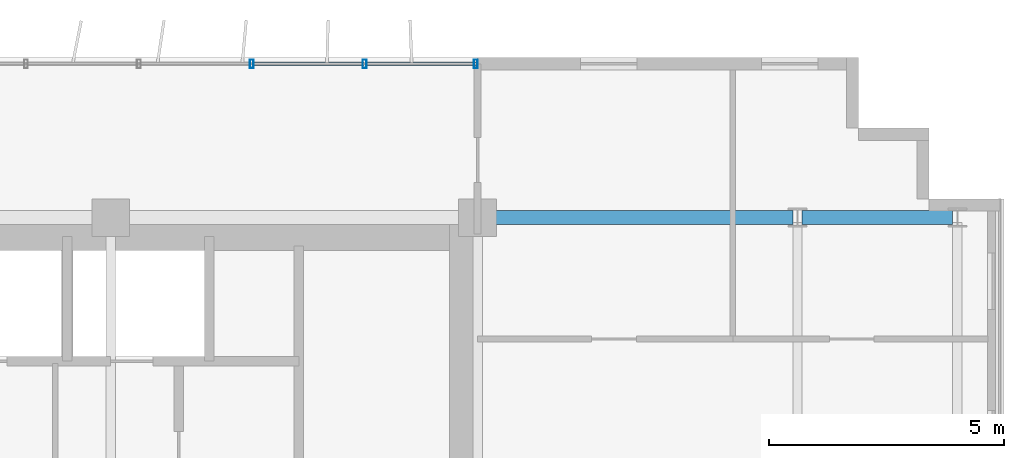
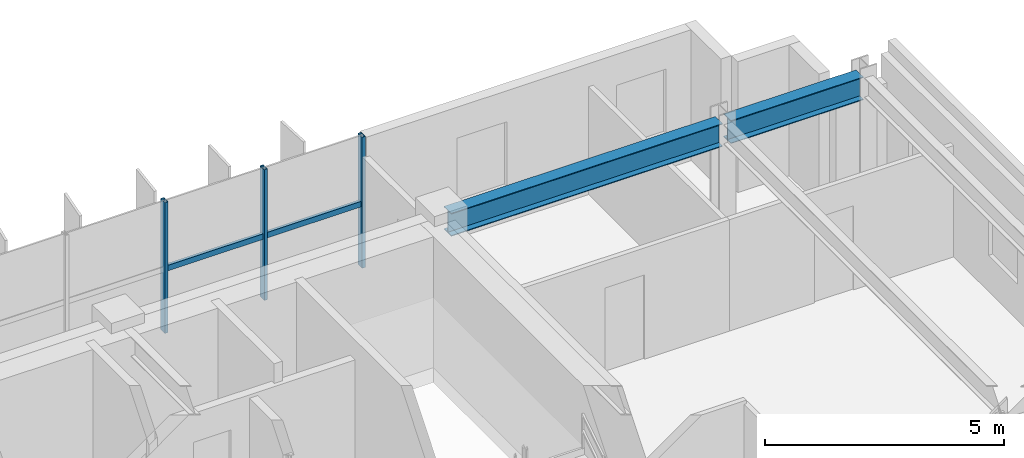
# One storey, part 11 of 22: 5 members, 2 beams, 1 element without a shape of its own.
"""IFC4 building model written with IfcOpenShell, lengths in metres."""

from ifc_helpers import new_model, si_unit, direction, frame, origin, origin_2d, place, context, subcontext, project, spatial, hollow_rectangle, i_section, extrude, source, transform, mapped, material, material_profile, profile_set, type_object, element, aggregate, save


model = new_model("IFC4")

# Units and contexts
model_context = context("Model", 3, precision=1e-05, world=origin(), true_north=direction((0.0, 1.0)))
body_context = subcontext(model_context, "Body", "Model", "MODEL_VIEW")
ifc_project = project(units=[si_unit("LENGTHUNIT", "METRE"), si_unit("AREAUNIT", "SQUARE_METRE"), si_unit("VOLUMEUNIT", "CUBIC_METRE"), si_unit("PLANEANGLEUNIT", "RADIAN"), si_unit("MASSUNIT", "GRAM", prefix="KILO")], contexts=[model_context])

# Site, building, storey
site_placement = place(None, origin())
site = spatial("IfcSite", under=ifc_project, at=site_placement, CompositionType="ELEMENT")
building_placement = place(site_placement, origin())
building = spatial("IfcBuilding", under=site, at=building_placement, Name="Trelvane Seafront Commons", CompositionType="ELEMENT")
storey_placement = place(building_placement, frame((0.0, 0.0, 81.699951171875)))
storey = spatial("IfcBuildingStorey", under=building, at=storey_placement, Name="L20", CompositionType="ELEMENT", Elevation=81.699951171875)

# Beams
ifc_material_1 = material(Name="Steel SM355 (S355)", Category="steel")
ifc_material_profile_1 = material_profile(ifc_material_1, i_section(OverallWidth=0.300048828125, OverallDepth=0.587890625, WebThickness=0.011962890625, FlangeThickness=0.02001953125, at=origin_2d()), Name="H-588x300x12x20")
ifc_profile_set_1 = profile_set([ifc_material_profile_1], Name="Steel SM355 (S355)")
beam_type = type_object("IfcBeamType", Name="STR-BM-H588", PredefinedType="BEAM", material=ifc_profile_set_1)
shared_shape_1 = source(origin(), body_context, "Body", "SweptSolid", [
    extrude(i_section(OverallWidth=0.300048828125, OverallDepth=0.587890625, WebThickness=0.011962890625, FlangeThickness=0.02001953125, at=origin_2d()), origin(), (0.0, 0.0, 1.0), 3.199951171875),
])
beam_1_placement = place(storey_placement, frame((65.699951171875, 45.10009765625, 3.046142578125), z_axis=(1.0, 0.0, 0.0), x_axis=(0.0, 1.0, 0.0)))
element("IfcBeam", 1, at=beam_1_placement, inside=storey, type_object=beam_type, Name="L20 Primary Girder G-36", PredefinedType="BEAM", context=body_context, shape_type="MappedRepresentation", body=[
    mapped(shared_shape_1, transform((0.0, 0.0, 0.0), x_axis=(1.0, 0.0, 0.0), y_axis=(0.0, 1.0, 0.0), z_axis=(0.0, 0.0, 1.0), scale=1.0)),
])
shared_shape_2 = source(origin(), body_context, "Body", "SweptSolid", [
    extrude(i_section(OverallWidth=0.300048828125, OverallDepth=0.587890625, WebThickness=0.011962890625, FlangeThickness=0.02001953125, at=origin_2d()), origin(), (0.0, 0.0, 1.0), 6.550048828125),
])
beam_2_placement = place(storey_placement, frame((58.949951171875, 45.10009765625, 3.046142578125), z_axis=(1.0, 0.0, 0.0), x_axis=(0.0, 1.0, 0.0)))
element("IfcBeam", 2, at=beam_2_placement, inside=storey, type_object=beam_type, Name="L20 Primary Girder G-35", PredefinedType="BEAM", context=body_context, shape_type="MappedRepresentation", body=[
    mapped(shared_shape_2, transform((0.0, 0.0, 0.0), x_axis=(1.0, 0.0, 0.0), y_axis=(0.0, 1.0, 0.0), z_axis=(0.0, 0.0, 1.0), scale=1.0)),
])

# Curtain wall, members
ifc_material_2 = material(Name="Anodised pale-silver aluminium", Category="aluminium")
curtain_wall_type = type_object("IfcCurtainWallType", Name="ARCH-CW4-SKYLOBBY", PredefinedType="NOTDEFINED", material=ifc_material_2)
curtain_wall_placement = place(storey_placement, origin())
curtain_wall = element("IfcCurtainWall", 3, at=curtain_wall_placement, inside=storey, type_object=curtain_wall_type, Name="CW-L20-0045", PredefinedType="NOTDEFINED")
ifc_material_profile_2 = material_profile(ifc_material_2, hollow_rectangle(XDim=0.074951171875, YDim=0.139892578125, WallThickness=0.00390625, at=origin_2d()), Name="TRAN-75x140x4")
ifc_profile_set_2 = profile_set([ifc_material_profile_2], Name="Anodised pale-silver aluminium")
member_type_1 = type_object("IfcMemberType", Name="ARCH-CW-TRAN-140", PredefinedType="USERDEFINED", material=ifc_profile_set_2)
shared_shape_3 = source(origin(), body_context, "Body", "SweptSolid", [
    extrude(hollow_rectangle(XDim=0.074951171875, YDim=0.139892578125, WallThickness=0.00390625, at=origin_2d()), origin(), (0.0, 0.0, 1.0), 2.3759765625),
])
member_1_placement = place(storey_placement, frame((54.011962890625, 48.3701171875, 1.60302734375), z_axis=(1.0, 0.0, 0.0), x_axis=(0.0, 1.0, 0.0)))
member_1 = element("IfcMember", 4, at=member_1_placement, type_object=member_type_1, Name="CW-L20-0045-T16", ObjectType="TRANSOM", PredefinedType="USERDEFINED", context=body_context, shape_type="MappedRepresentation", body=[
    mapped(shared_shape_3, transform((0.0, 0.0, 0.0), x_axis=(1.0, 0.0, 0.0), y_axis=(0.0, 1.0, 0.0), z_axis=(0.0, 0.0, 1.0), scale=1.0)),
])
member_2_placement = place(storey_placement, frame((56.412109375, 48.3701171875, 1.60302734375), z_axis=(1.0, 0.0, 0.0), x_axis=(0.0, 1.0, 0.0)))
member_2 = element("IfcMember", 5, at=member_2_placement, type_object=member_type_1, Name="CW-L20-0045-T17", ObjectType="TRANSOM", PredefinedType="USERDEFINED", context=body_context, shape_type="MappedRepresentation", body=[
    mapped(shared_shape_3, transform((0.0, 0.0, 0.0), x_axis=(1.0, 0.0, 0.0), y_axis=(0.0, 1.0, 0.0), z_axis=(0.0, 0.0, 1.0), scale=1.0)),
])
ifc_material_profile_3 = material_profile(ifc_material_2, hollow_rectangle(XDim=0.080078125, YDim=0.179931640625, WallThickness=0.00439453125, at=origin_2d()), Name="MULL-80x180x4.5")
ifc_profile_set_3 = profile_set([ifc_material_profile_3], Name="Anodised pale-silver aluminium")
member_type_2 = type_object("IfcMemberType", Name="ARCH-CW-MULL-180", PredefinedType="MULLION", material=ifc_profile_set_3)
shared_shape_4 = source(origin(), body_context, "Body", "SweptSolid", [
    extrude(hollow_rectangle(XDim=0.080078125, YDim=0.179931640625, WallThickness=0.00439453125, at=origin_2d()), origin(), (0.0, 0.0, 1.0), 3.340087890625),
])
member_3_placement = place(storey_placement, frame((54.0, 48.3701171875, 0.0), z_axis=(0.0, 0.0, 1.0), x_axis=(1.0, 0.0, 0.0)))
member_3 = element("IfcMember", 6, at=member_3_placement, type_object=member_type_2, Name="CW-L20-0045-M16", PredefinedType="MULLION", context=body_context, shape_type="MappedRepresentation", body=[
    mapped(shared_shape_4, transform((0.0, 0.0, 0.0), x_axis=(1.0, 0.0, 0.0), y_axis=(0.0, 1.0, 0.0), z_axis=(0.0, 0.0, 1.0), scale=1.0)),
])
member_4_placement = place(storey_placement, frame((56.39990234375, 48.3701171875, 0.0), z_axis=(0.0, 0.0, 1.0), x_axis=(1.0, 0.0, 0.0)))
member_4 = element("IfcMember", 7, at=member_4_placement, type_object=member_type_2, Name="CW-L20-0045-M17", PredefinedType="MULLION", context=body_context, shape_type="MappedRepresentation", body=[
    mapped(shared_shape_4, transform((0.0, 0.0, 0.0), x_axis=(1.0, 0.0, 0.0), y_axis=(0.0, 1.0, 0.0), z_axis=(0.0, 0.0, 1.0), scale=1.0)),
])
member_5_placement = place(storey_placement, frame((58.760009765625, 48.3701171875, 0.0), z_axis=(0.0, 0.0, 1.0), x_axis=(1.0, 0.0, 0.0)))
member_5 = element("IfcMember", 8, at=member_5_placement, type_object=member_type_2, Name="CW-L20-0045-M18", PredefinedType="MULLION", context=body_context, shape_type="MappedRepresentation", body=[
    mapped(shared_shape_4, transform((0.0, 0.0, 0.0), x_axis=(1.0, 0.0, 0.0), y_axis=(0.0, 1.0, 0.0), z_axis=(0.0, 0.0, 1.0), scale=1.0)),
])
aggregate(curtain_wall, [member_3, member_4, member_5, member_1, member_2])

save(model, "model.ifc")
